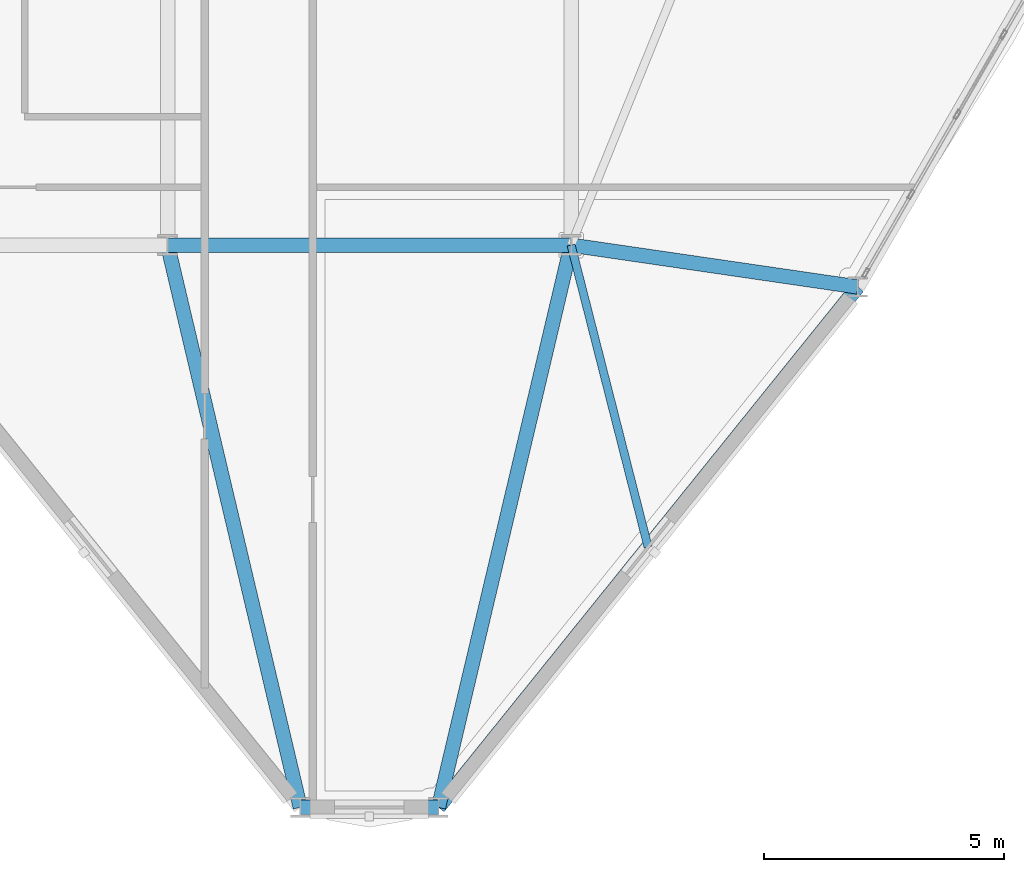
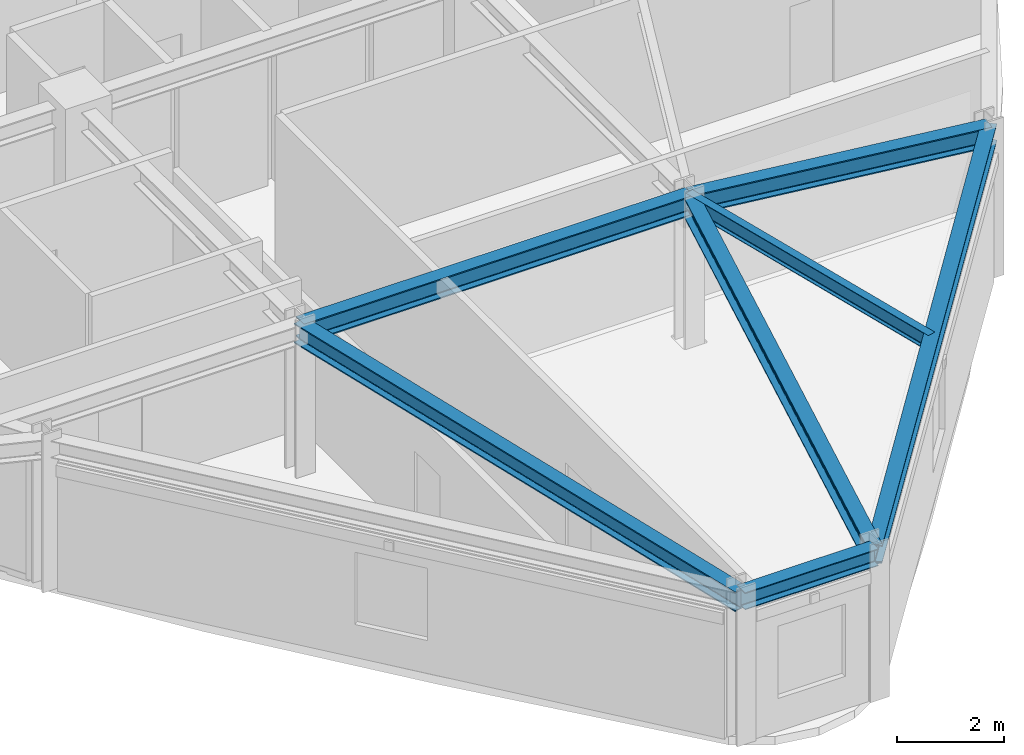
# One storey, part 3 of 16: 7 beams.
"""IFC4 building model written with IfcOpenShell, lengths in metres."""

from ifc_helpers import new_model, si_unit, derived_unit, direction, frame, origin, origin_2d, place, context, subcontext, project, spatial, i_section, extrude, source, transform, mapped, material, material_profile, profile_set, type_object, element, save


model = new_model("IFC4")

# Units and contexts
model_context = context("Model", 3, precision=1e-05, world=origin(), true_north=direction((0.0, 1.0)))
body_context = subcontext(model_context, "Body", "Model", "MODEL_VIEW")
ifc_project = project(units=[si_unit("LENGTHUNIT", "METRE"), si_unit("AREAUNIT", "SQUARE_METRE"), si_unit("VOLUMEUNIT", "CUBIC_METRE"), si_unit("PLANEANGLEUNIT", "RADIAN"), si_unit("MASSUNIT", "GRAM", prefix="KILO"), derived_unit("THERMALTRANSMITTANCEUNIT", [(si_unit("POWERUNIT", "WATT"), 1), (si_unit("LENGTHUNIT", "METRE"), -2), (si_unit("THERMODYNAMICTEMPERATUREUNIT", "KELVIN"), -1)])], contexts=[model_context])

# Site, building, storey
site_placement = place(None, origin())
site = spatial("IfcSite", under=ifc_project, at=site_placement, CompositionType="ELEMENT")
building_placement = place(site_placement, origin())
building = spatial("IfcBuilding", under=site, at=building_placement, Name="Korsvarv Bourse and Concert Hall", CompositionType="ELEMENT")
storey_placement = place(building_placement, frame((0.0, 0.0, 227.39990234375)))
storey = spatial("IfcBuildingStorey", under=building, at=storey_placement, Name="L59", CompositionType="ELEMENT", Elevation=227.39990234375)

# Beams
ifc_material = material(Name="Steel S355", Category="steel")
ifc_material_profile_1 = material_profile(ifc_material, i_section(OverallWidth=0.300048828125, OverallDepth=0.449951171875, WebThickness=0.013916015625, FlangeThickness=0.02587890625, FilletRadius=0.02099609375, at=origin_2d()), Name="HEB 450")
ifc_profile_set_1 = profile_set([ifc_material_profile_1], Name="Steel S355")
beam_type_1 = type_object("IfcBeamType", Name="BM-HEB450", PredefinedType="SPANDREL", material=ifc_profile_set_1)
shared_shape_1 = source(origin(), body_context, "Body", "SweptSolid", [
    extrude(i_section(OverallWidth=0.300048828125, OverallDepth=0.449951171875, WebThickness=0.013916015625, FlangeThickness=0.02587890625, FilletRadius=0.02099609375, at=origin_2d()), origin(), (0.0, 0.0, 1.0), 8.39990234375),
])
beam_1_placement = place(storey_placement, frame((36.0, 24.0, 3.18505859375), z_axis=(1.0, 0.0, 0.0), x_axis=(0.0, 1.0, 0.0)))
element("IfcBeam", 1, at=beam_1_placement, inside=storey, type_object=beam_type_1, Name="L59 beam B-08", PredefinedType="SPANDREL", context=body_context, shape_type="MappedRepresentation", body=[
    mapped(shared_shape_1, transform((0.0, 0.0, 0.0), scale=1.0)),
])
ifc_material_profile_2 = material_profile(ifc_material, i_section(OverallWidth=0.300048828125, OverallDepth=0.389892578125, WebThickness=0.010986328125, FlangeThickness=0.01904296875, FilletRadius=0.02099609375, at=origin_2d()), Name="HEA 400")
ifc_profile_set_2 = profile_set([ifc_material_profile_2], Name="Steel S355")
beam_type_2 = type_object("IfcBeamType", Name="BM-HEA400", PredefinedType="BEAM", material=ifc_profile_set_2)
shared_shape_2 = source(origin(), body_context, "Body", "SweptSolid", [
    extrude(i_section(OverallWidth=0.300048828125, OverallDepth=0.389892578125, WebThickness=0.010986328125, FlangeThickness=0.01904296875, FilletRadius=0.02099609375, at=origin_2d()), origin(), (0.0, 0.0, 1.0), 2.876708984375),
])
beam_2_placement = place(storey_placement, frame((38.76171875, 12.296142578125, 3.215087890625), z_axis=(1.0, 0.0, 0.0), x_axis=(0.0, 1.0, 0.0)))
element("IfcBeam", 2, at=beam_2_placement, inside=storey, type_object=beam_type_2, Name="L59 beam B-11", PredefinedType="BEAM", context=body_context, shape_type="MappedRepresentation", body=[
    mapped(shared_shape_2, transform((0.0, 0.0, 0.0), scale=1.0)),
])
shared_shape_3 = source(origin(), body_context, "Body", "SweptSolid", [
    extrude(i_section(OverallWidth=0.300048828125, OverallDepth=0.389892578125, WebThickness=0.010986328125, FlangeThickness=0.01904296875, FilletRadius=0.02099609375, at=origin_2d()), origin(), (0.0, 0.0, 1.0), 13.913330078125),
])
beam_3_placement = place(storey_placement, frame((41.638427734375, 12.296142578125, 3.215087890625), z_axis=(0.627451613124, 0.778655554907, 0.0), x_axis=(-0.778655554907, 0.627451613124, 0.0)))
element("IfcBeam", 3, at=beam_3_placement, inside=storey, type_object=beam_type_2, Name="L59 beam B-11", PredefinedType="BEAM", context=body_context, shape_type="MappedRepresentation", body=[
    mapped(shared_shape_3, transform((0.0, 0.0, 0.0), scale=1.0)),
])
shared_shape_4 = source(origin(), body_context, "Body", "SweptSolid", [
    extrude(i_section(OverallWidth=0.300048828125, OverallDepth=0.449951171875, WebThickness=0.013916015625, FlangeThickness=0.02587890625, FilletRadius=0.02099609375, at=origin_2d()), origin(), (0.0, 0.0, 1.0), 12.025390625),
])
beam_4_placement = place(storey_placement, frame((38.76171875, 12.296142578125, 3.18505859375), z_axis=(-0.229659405453, 0.973271060644, 0.0), x_axis=(-0.973271060644, -0.229659405453, 0.0)))
element("IfcBeam", 4, at=beam_4_placement, inside=storey, type_object=beam_type_1, Name="L59 beam B-08", PredefinedType="SPANDREL", context=body_context, shape_type="MappedRepresentation", body=[
    mapped(shared_shape_4, transform((0.0, 0.0, 0.0), scale=1.0)),
])
shared_shape_5 = source(origin(), body_context, "Body", "SweptSolid", [
    extrude(i_section(OverallWidth=0.300048828125, OverallDepth=0.449951171875, WebThickness=0.013916015625, FlangeThickness=0.02587890625, FilletRadius=0.02099609375, at=origin_2d()), origin(), (0.0, 0.0, 1.0), 12.025146484375),
])
beam_5_placement = place(storey_placement, frame((41.638427734375, 12.296142578125, 3.18505859375), z_axis=(0.229640173849, 0.973275598458, 0.0), x_axis=(-0.973275598458, 0.229640173849, 0.0)))
element("IfcBeam", 5, at=beam_5_placement, inside=storey, type_object=beam_type_1, Name="L59 beam B-08", PredefinedType="SPANDREL", context=body_context, shape_type="MappedRepresentation", body=[
    mapped(shared_shape_5, transform((0.0, 0.0, 0.0), scale=1.0)),
])
shared_shape_6 = source(origin(), body_context, "Body", "SweptSolid", [
    extrude(i_section(OverallWidth=0.300048828125, OverallDepth=0.449951171875, WebThickness=0.013916015625, FlangeThickness=0.02587890625, FilletRadius=0.02099609375, at=origin_2d()), origin(), (0.0, 0.0, 1.0), 6.031494140625),
])
beam_6_placement = place(storey_placement, frame((50.368408203125, 23.1298828125, 3.18505859375), z_axis=(-0.98953984365, 0.144259827495, 0.0), x_axis=(-0.144259827495, -0.98953984365, 0.0)))
element("IfcBeam", 6, at=beam_6_placement, inside=storey, type_object=beam_type_1, Name="L59 beam B-08", PredefinedType="SPANDREL", context=body_context, shape_type="MappedRepresentation", body=[
    mapped(shared_shape_6, transform((0.0, 0.0, 0.0), scale=1.0)),
])
ifc_material_profile_3 = material_profile(ifc_material, i_section(OverallWidth=0.169921875, OverallDepth=0.360107421875, WebThickness=0.008056640625, FlangeThickness=0.0126953125, FilletRadius=0.01806640625, at=origin_2d()), Name="IPE 360")
ifc_profile_set_3 = profile_set([ifc_material_profile_3], Name="Steel S355")
beam_type_3 = type_object("IfcBeamType", Name="BM-IPE360", PredefinedType="JOIST", material=ifc_profile_set_3)
shared_shape_7 = source(origin(), body_context, "Body", "SweptSolid", [
    extrude(i_section(OverallWidth=0.169921875, OverallDepth=0.360107421875, WebThickness=0.008056640625, FlangeThickness=0.0126953125, FilletRadius=0.01806640625, at=origin_2d()), origin(), (0.0, 0.0, 1.0), 6.48828125),
])
beam_7_placement = place(storey_placement, frame((46.00341796875, 17.712890625, 3.22998046875), z_axis=(-0.247136716269, 0.968980620793, 0.0), x_axis=(-0.968980620793, -0.247136716269, 0.0)))
element("IfcBeam", 7, at=beam_7_placement, inside=storey, type_object=beam_type_3, Name="L59 beam J-06", PredefinedType="JOIST", context=body_context, shape_type="MappedRepresentation", body=[
    mapped(shared_shape_7, transform((0.0, 0.0, 0.0), scale=1.0)),
])

save(model, "model.ifc")
